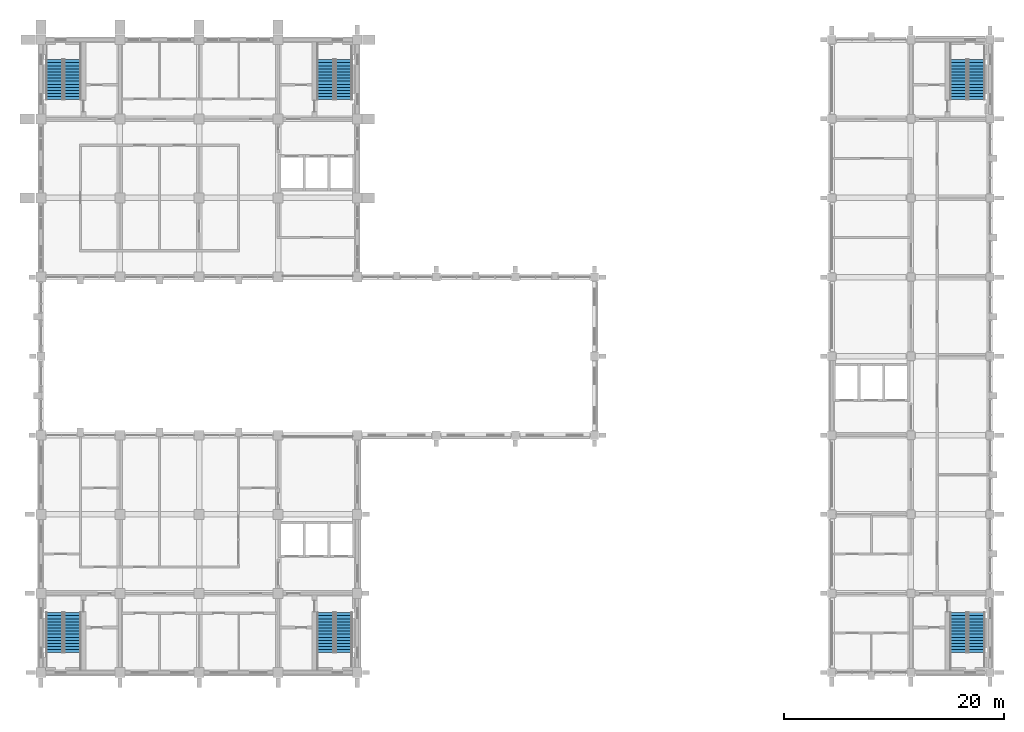
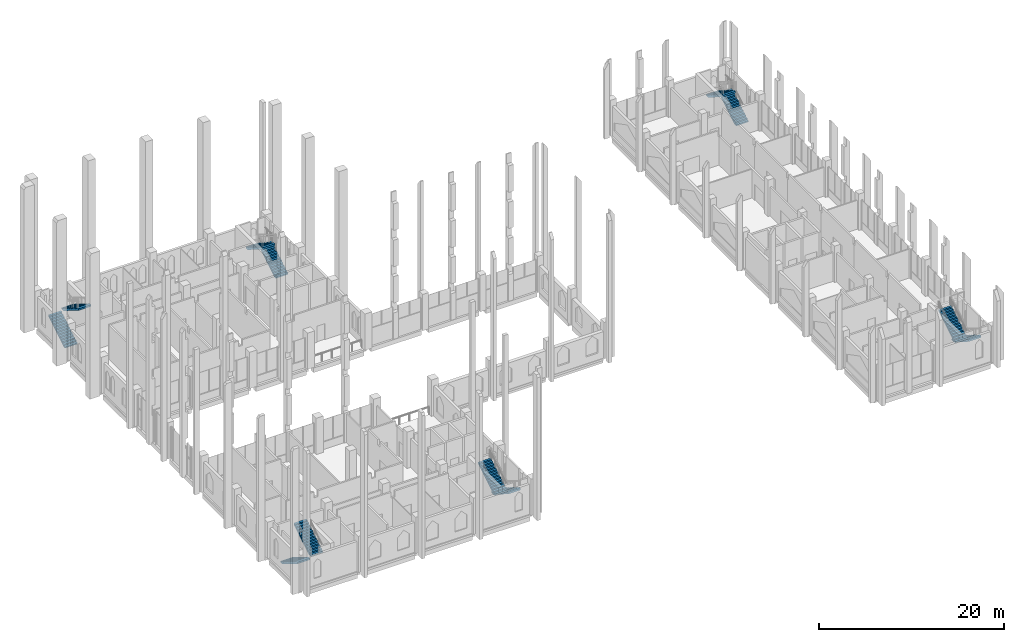
# One storey, part 37 of 40: 12 stair flights, 6 elements without a shape of their own.
"""IFC4 building model written with IfcOpenShell, lengths in metres."""

from ifc_helpers import new_model, si_unit, direction, frame, origin, place, context, subcontext, project, spatial, polyline, outline, extrude, material, type_object, element, aggregate, save


model = new_model("IFC4")

# Units and contexts
model_context = context("Model", 3, precision=1e-05, world=origin(), true_north=direction((0.0, 1.0)))
body_context = subcontext(model_context, "Body", "Model", "MODEL_VIEW")
ifc_project = project(units=[si_unit("LENGTHUNIT", "METRE"), si_unit("AREAUNIT", "SQUARE_METRE"), si_unit("VOLUMEUNIT", "CUBIC_METRE"), si_unit("PLANEANGLEUNIT", "RADIAN"), si_unit("MASSUNIT", "GRAM", prefix="KILO")], contexts=[model_context])

# Site, building, storey
site_placement = place(None, origin())
site = spatial("IfcSite", under=ifc_project, at=site_placement, CompositionType="ELEMENT")
building_placement = place(site_placement, origin())
building = spatial("IfcBuilding", under=site, at=building_placement, Name="Silangan Lancet Faculty of Sciences", CompositionType="ELEMENT")
storey_placement = place(building_placement, frame((0.0, 0.0, 21.60009765625)))
storey = spatial("IfcBuildingStorey", under=building, at=storey_placement, Name="L04", CompositionType="ELEMENT", Elevation=21.60009765625)

# Stair, stair flights
ifc_material_1 = material(Name="Concrete C40/50", Category="concrete")
stair_type = type_object("IfcStairType", Name="TURRET STAIR 1550 TWO-FLIGHT", PredefinedType="HALF_TURN_STAIR", material=ifc_material_1)
stair_1_placement = place(storey_placement, origin())
stair_1 = element("IfcStair", 1, at=stair_1_placement, inside=storey, type_object=stair_type, Name="EB-A stair L04", PredefinedType="HALF_TURN_STAIR")
ifc_material_2 = material(Name="Concrete C40/50", Category="concrete")
stair_flight_type = type_object("IfcStairFlightType", Name="TURRET STAIR FLIGHT 1550", PredefinedType="STRAIGHT", material=ifc_material_2)
stair_flight_1_placement = place(storey_placement, frame((85.175048828125, 5.449951171875, 0.0), z_axis=(0.0, 0.0, 1.0), x_axis=(0.0, -1.0, 0.0)))
stair_flight_1 = element("IfcStairFlight", 2, at=stair_flight_1_placement, type_object=stair_flight_type, Name="STR9 flight 1", NumberOfRisers=14, NumberOfTreads=13, PredefinedType="STRAIGHT", RiserHeight=0.171428571, TreadLength=0.28, context=body_context, shape_type="SweptSolid", body=[
    extrude(outline(polyline([(0.0, 0.0), (0.0, 0.17138671875), (0.280029296875, 0.17138671875), (0.280029296875, 0.3427734375), (0.56005859375, 0.3427734375), (0.56005859375, 0.514404296875), (0.840087890625, 0.514404296875), (0.840087890625, 0.685791015625), (1.1201171875, 0.685791015625), (1.1201171875, 0.857177734375), (1.39990234375, 0.857177734375), (1.39990234375, 1.028564453125), (1.679931640625, 1.028564453125), (1.679931640625, 1.199951171875), (1.9599609375, 1.199951171875), (1.9599609375, 1.371337890625), (2.239990234375, 1.371337890625), (2.239990234375, 1.54296875), (2.52001953125, 1.54296875), (2.52001953125, 1.71435546875), (2.800048828125, 1.71435546875), (2.800048828125, 1.8857421875), (3.080078125, 1.8857421875), (3.080078125, 2.05712890625), (3.360107421875, 2.05712890625), (3.360107421875, 2.228515625), (3.639892578125, 2.228515625), (3.639892578125, 2.39990234375), (3.639892578125, 1.994140625), (0.383056640625, 0.0), (0.0, 0.0)])), frame((0.0, 0.77490234375, 0.0), z_axis=(0.0, -1.0, 0.0), x_axis=(1.0, 0.0, 0.0)), (0.0, 0.0, 1.0), 1.550048828125),
])
stair_flight_2_placement = place(storey_placement, frame((83.52490234375, 1.81005859375, 2.39990234375), z_axis=(0.0, 0.0, 1.0), x_axis=(0.0, 1.0, 0.0)))
stair_flight_2 = element("IfcStairFlight", 3, at=stair_flight_2_placement, type_object=stair_flight_type, Name="STR9 flight 2", NumberOfRisers=14, NumberOfTreads=13, PredefinedType="STRAIGHT", RiserHeight=0.171428571, TreadLength=0.28, context=body_context, shape_type="SweptSolid", body=[
    extrude(outline(polyline([(0.0, 0.0), (0.0, 0.17138671875), (0.280029296875, 0.17138671875), (0.280029296875, 0.3427734375), (0.56005859375, 0.3427734375), (0.56005859375, 0.514404296875), (0.840087890625, 0.514404296875), (0.840087890625, 0.685791015625), (1.1201171875, 0.685791015625), (1.1201171875, 0.857177734375), (1.39990234375, 0.857177734375), (1.39990234375, 1.028564453125), (1.679931640625, 1.028564453125), (1.679931640625, 1.199951171875), (1.9599609375, 1.199951171875), (1.9599609375, 1.371337890625), (2.239990234375, 1.371337890625), (2.239990234375, 1.54296875), (2.52001953125, 1.54296875), (2.52001953125, 1.71435546875), (2.800048828125, 1.71435546875), (2.800048828125, 1.8857421875), (3.080078125, 1.8857421875), (3.080078125, 2.05712890625), (3.360107421875, 2.05712890625), (3.360107421875, 2.228515625), (3.639892578125, 2.228515625), (3.639892578125, 2.39990234375), (3.639892578125, 1.994140625), (0.383056640625, 0.0), (0.0, 0.0)])), frame((0.0, 0.77490234375, 0.0), z_axis=(0.0, -1.0, 0.0), x_axis=(1.0, 0.0, 0.0)), (0.0, 0.0, 1.0), 1.550048828125),
])
aggregate(stair_1, [stair_flight_1, stair_flight_2])

stair_2_placement = place(storey_placement, origin())
stair_2 = element("IfcStair", 4, at=stair_2_placement, inside=storey, type_object=stair_type, Name="EB-B stair L04", PredefinedType="HALF_TURN_STAIR")
stair_flight_3_placement = place(storey_placement, frame((85.175048828125, 52.14990234375, 0.0), z_axis=(0.0, 0.0, 1.0), x_axis=(0.0, 1.0, 0.0)))
stair_flight_3 = element("IfcStairFlight", 5, at=stair_flight_3_placement, type_object=stair_flight_type, Name="STR10 flight 1", NumberOfRisers=14, NumberOfTreads=13, PredefinedType="STRAIGHT", RiserHeight=0.171428571, TreadLength=0.28, context=body_context, shape_type="SweptSolid", body=[
    extrude(outline(polyline([(0.0, 0.0), (0.0, 0.17138671875), (0.280029296875, 0.17138671875), (0.280029296875, 0.3427734375), (0.56005859375, 0.3427734375), (0.56005859375, 0.514404296875), (0.840087890625, 0.514404296875), (0.840087890625, 0.685791015625), (1.1201171875, 0.685791015625), (1.1201171875, 0.857177734375), (1.39990234375, 0.857177734375), (1.39990234375, 1.028564453125), (1.679931640625, 1.028564453125), (1.679931640625, 1.199951171875), (1.9599609375, 1.199951171875), (1.9599609375, 1.371337890625), (2.239990234375, 1.371337890625), (2.239990234375, 1.54296875), (2.52001953125, 1.54296875), (2.52001953125, 1.71435546875), (2.800048828125, 1.71435546875), (2.800048828125, 1.8857421875), (3.080078125, 1.8857421875), (3.080078125, 2.05712890625), (3.360107421875, 2.05712890625), (3.360107421875, 2.228515625), (3.639892578125, 2.228515625), (3.639892578125, 2.39990234375), (3.639892578125, 1.994140625), (0.383056640625, 0.0), (0.0, 0.0)])), frame((0.0, 0.77490234375, 0.0), z_axis=(0.0, -1.0, 0.0), x_axis=(1.0, 0.0, 0.0)), (0.0, 0.0, 1.0), 1.550048828125),
])
stair_flight_4_placement = place(storey_placement, frame((83.52490234375, 55.7900390625, 2.39990234375), z_axis=(0.0, 0.0, 1.0), x_axis=(0.0, -1.0, 0.0)))
stair_flight_4 = element("IfcStairFlight", 6, at=stair_flight_4_placement, type_object=stair_flight_type, Name="STR10 flight 2", NumberOfRisers=14, NumberOfTreads=13, PredefinedType="STRAIGHT", RiserHeight=0.171428571, TreadLength=0.28, context=body_context, shape_type="SweptSolid", body=[
    extrude(outline(polyline([(0.0, 0.0), (0.0, 0.17138671875), (0.280029296875, 0.17138671875), (0.280029296875, 0.3427734375), (0.56005859375, 0.3427734375), (0.56005859375, 0.514404296875), (0.840087890625, 0.514404296875), (0.840087890625, 0.685791015625), (1.1201171875, 0.685791015625), (1.1201171875, 0.857177734375), (1.39990234375, 0.857177734375), (1.39990234375, 1.028564453125), (1.679931640625, 1.028564453125), (1.679931640625, 1.199951171875), (1.9599609375, 1.199951171875), (1.9599609375, 1.371337890625), (2.239990234375, 1.371337890625), (2.239990234375, 1.54296875), (2.52001953125, 1.54296875), (2.52001953125, 1.71435546875), (2.800048828125, 1.71435546875), (2.800048828125, 1.8857421875), (3.080078125, 1.8857421875), (3.080078125, 2.05712890625), (3.360107421875, 2.05712890625), (3.360107421875, 2.228515625), (3.639892578125, 2.228515625), (3.639892578125, 2.39990234375), (3.639892578125, 1.994140625), (0.383056640625, 0.0), (0.0, 0.0)])), frame((0.0, 0.77490234375, 0.0), z_axis=(0.0, -1.0, 0.0), x_axis=(1.0, 0.0, 0.0)), (0.0, 0.0, 1.0), 1.550048828125),
])
aggregate(stair_2, [stair_flight_3, stair_flight_4])

stair_3_placement = place(storey_placement, origin())
stair_3 = element("IfcStair", 7, at=stair_3_placement, inside=storey, type_object=stair_type, Name="NT-A stair L04", PredefinedType="HALF_TURN_STAIR")
stair_flight_5_placement = place(storey_placement, frame((1.22509765625, 52.14990234375, 0.0), z_axis=(0.0, 0.0, 1.0), x_axis=(0.0, 1.0, 0.0)))
stair_flight_5 = element("IfcStairFlight", 8, at=stair_flight_5_placement, type_object=stair_flight_type, Name="STR3 flight 1", NumberOfRisers=14, NumberOfTreads=13, PredefinedType="STRAIGHT", RiserHeight=0.171428571, TreadLength=0.28, context=body_context, shape_type="SweptSolid", body=[
    extrude(outline(polyline([(0.0, 0.0), (0.0, 0.17138671875), (0.280029296875, 0.17138671875), (0.280029296875, 0.3427734375), (0.56005859375, 0.3427734375), (0.56005859375, 0.514404296875), (0.840087890625, 0.514404296875), (0.840087890625, 0.685791015625), (1.1201171875, 0.685791015625), (1.1201171875, 0.857177734375), (1.39990234375, 0.857177734375), (1.39990234375, 1.028564453125), (1.679931640625, 1.028564453125), (1.679931640625, 1.199951171875), (1.9599609375, 1.199951171875), (1.9599609375, 1.371337890625), (2.239990234375, 1.371337890625), (2.239990234375, 1.54296875), (2.52001953125, 1.54296875), (2.52001953125, 1.71435546875), (2.800048828125, 1.71435546875), (2.800048828125, 1.8857421875), (3.080078125, 1.8857421875), (3.080078125, 2.05712890625), (3.360107421875, 2.05712890625), (3.360107421875, 2.228515625), (3.639892578125, 2.228515625), (3.639892578125, 2.39990234375), (3.639892578125, 1.994140625), (0.383056640625, 0.0), (0.0, 0.0)])), frame((0.0, 0.77490234375, 0.0), z_axis=(0.0, -1.0, 0.0), x_axis=(1.0, 0.0, 0.0)), (0.0, 0.0, 1.0), 1.550048828125),
])
stair_flight_6_placement = place(storey_placement, frame((2.875, 55.7900390625, 2.39990234375), z_axis=(0.0, 0.0, 1.0), x_axis=(0.0, -1.0, 0.0)))
stair_flight_6 = element("IfcStairFlight", 9, at=stair_flight_6_placement, type_object=stair_flight_type, Name="STR3 flight 2", NumberOfRisers=14, NumberOfTreads=13, PredefinedType="STRAIGHT", RiserHeight=0.171428571, TreadLength=0.28, context=body_context, shape_type="SweptSolid", body=[
    extrude(outline(polyline([(0.0, 0.0), (0.0, 0.17138671875), (0.280029296875, 0.17138671875), (0.280029296875, 0.3427734375), (0.56005859375, 0.3427734375), (0.56005859375, 0.514404296875), (0.840087890625, 0.514404296875), (0.840087890625, 0.685791015625), (1.1201171875, 0.685791015625), (1.1201171875, 0.857177734375), (1.39990234375, 0.857177734375), (1.39990234375, 1.028564453125), (1.679931640625, 1.028564453125), (1.679931640625, 1.199951171875), (1.9599609375, 1.199951171875), (1.9599609375, 1.371337890625), (2.239990234375, 1.371337890625), (2.239990234375, 1.54296875), (2.52001953125, 1.54296875), (2.52001953125, 1.71435546875), (2.800048828125, 1.71435546875), (2.800048828125, 1.8857421875), (3.080078125, 1.8857421875), (3.080078125, 2.05712890625), (3.360107421875, 2.05712890625), (3.360107421875, 2.228515625), (3.639892578125, 2.228515625), (3.639892578125, 2.39990234375), (3.639892578125, 1.994140625), (0.383056640625, 0.0), (0.0, 0.0)])), frame((0.0, 0.77490234375, 0.0), z_axis=(0.0, -1.0, 0.0), x_axis=(1.0, 0.0, 0.0)), (0.0, 0.0, 1.0), 1.550048828125),
])
aggregate(stair_3, [stair_flight_5, stair_flight_6])

stair_4_placement = place(storey_placement, origin())
stair_4 = element("IfcStair", 10, at=stair_4_placement, inside=storey, type_object=stair_type, Name="NT-B stair L04", PredefinedType="HALF_TURN_STAIR")
stair_flight_7_placement = place(storey_placement, frame((27.574951171875, 52.14990234375, 0.0), z_axis=(0.0, 0.0, 1.0), x_axis=(0.0, 1.0, 0.0)))
stair_flight_7 = element("IfcStairFlight", 11, at=stair_flight_7_placement, type_object=stair_flight_type, Name="STR4 flight 1", NumberOfRisers=14, NumberOfTreads=13, PredefinedType="STRAIGHT", RiserHeight=0.171428571, TreadLength=0.28, context=body_context, shape_type="SweptSolid", body=[
    extrude(outline(polyline([(0.0, 0.0), (0.0, 0.17138671875), (0.280029296875, 0.17138671875), (0.280029296875, 0.3427734375), (0.56005859375, 0.3427734375), (0.56005859375, 0.514404296875), (0.840087890625, 0.514404296875), (0.840087890625, 0.685791015625), (1.1201171875, 0.685791015625), (1.1201171875, 0.857177734375), (1.39990234375, 0.857177734375), (1.39990234375, 1.028564453125), (1.679931640625, 1.028564453125), (1.679931640625, 1.199951171875), (1.9599609375, 1.199951171875), (1.9599609375, 1.371337890625), (2.239990234375, 1.371337890625), (2.239990234375, 1.54296875), (2.52001953125, 1.54296875), (2.52001953125, 1.71435546875), (2.800048828125, 1.71435546875), (2.800048828125, 1.8857421875), (3.080078125, 1.8857421875), (3.080078125, 2.05712890625), (3.360107421875, 2.05712890625), (3.360107421875, 2.228515625), (3.639892578125, 2.228515625), (3.639892578125, 2.39990234375), (3.639892578125, 1.994140625), (0.383056640625, 0.0), (0.0, 0.0)])), frame((0.0, 0.77490234375, 0.0), z_axis=(0.0, -1.0, 0.0), x_axis=(1.0, 0.0, 0.0)), (0.0, 0.0, 1.0), 1.550048828125),
])
stair_flight_8_placement = place(storey_placement, frame((25.925048828125, 55.7900390625, 2.39990234375), z_axis=(0.0, 0.0, 1.0), x_axis=(0.0, -1.0, 0.0)))
stair_flight_8 = element("IfcStairFlight", 12, at=stair_flight_8_placement, type_object=stair_flight_type, Name="STR4 flight 2", NumberOfRisers=14, NumberOfTreads=13, PredefinedType="STRAIGHT", RiserHeight=0.171428571, TreadLength=0.28, context=body_context, shape_type="SweptSolid", body=[
    extrude(outline(polyline([(0.0, 0.0), (0.0, 0.17138671875), (0.280029296875, 0.17138671875), (0.280029296875, 0.3427734375), (0.56005859375, 0.3427734375), (0.56005859375, 0.514404296875), (0.840087890625, 0.514404296875), (0.840087890625, 0.685791015625), (1.1201171875, 0.685791015625), (1.1201171875, 0.857177734375), (1.39990234375, 0.857177734375), (1.39990234375, 1.028564453125), (1.679931640625, 1.028564453125), (1.679931640625, 1.199951171875), (1.9599609375, 1.199951171875), (1.9599609375, 1.371337890625), (2.239990234375, 1.371337890625), (2.239990234375, 1.54296875), (2.52001953125, 1.54296875), (2.52001953125, 1.71435546875), (2.800048828125, 1.71435546875), (2.800048828125, 1.8857421875), (3.080078125, 1.8857421875), (3.080078125, 2.05712890625), (3.360107421875, 2.05712890625), (3.360107421875, 2.228515625), (3.639892578125, 2.228515625), (3.639892578125, 2.39990234375), (3.639892578125, 1.994140625), (0.383056640625, 0.0), (0.0, 0.0)])), frame((0.0, 0.77490234375, 0.0), z_axis=(0.0, -1.0, 0.0), x_axis=(1.0, 0.0, 0.0)), (0.0, 0.0, 1.0), 1.550048828125),
])
aggregate(stair_4, [stair_flight_7, stair_flight_8])

stair_5_placement = place(storey_placement, origin())
stair_5 = element("IfcStair", 13, at=stair_5_placement, inside=storey, type_object=stair_type, Name="ST-A stair L04", PredefinedType="HALF_TURN_STAIR")
stair_flight_9_placement = place(storey_placement, frame((1.22509765625, 5.449951171875, 0.0), z_axis=(0.0, 0.0, 1.0), x_axis=(0.0, -1.0, 0.0)))
stair_flight_9 = element("IfcStairFlight", 14, at=stair_flight_9_placement, type_object=stair_flight_type, Name="STR1 flight 1", NumberOfRisers=14, NumberOfTreads=13, PredefinedType="STRAIGHT", RiserHeight=0.171428571, TreadLength=0.28, context=body_context, shape_type="SweptSolid", body=[
    extrude(outline(polyline([(0.0, 0.0), (0.0, 0.17138671875), (0.280029296875, 0.17138671875), (0.280029296875, 0.3427734375), (0.56005859375, 0.3427734375), (0.56005859375, 0.514404296875), (0.840087890625, 0.514404296875), (0.840087890625, 0.685791015625), (1.1201171875, 0.685791015625), (1.1201171875, 0.857177734375), (1.39990234375, 0.857177734375), (1.39990234375, 1.028564453125), (1.679931640625, 1.028564453125), (1.679931640625, 1.199951171875), (1.9599609375, 1.199951171875), (1.9599609375, 1.371337890625), (2.239990234375, 1.371337890625), (2.239990234375, 1.54296875), (2.52001953125, 1.54296875), (2.52001953125, 1.71435546875), (2.800048828125, 1.71435546875), (2.800048828125, 1.8857421875), (3.080078125, 1.8857421875), (3.080078125, 2.05712890625), (3.360107421875, 2.05712890625), (3.360107421875, 2.228515625), (3.639892578125, 2.228515625), (3.639892578125, 2.39990234375), (3.639892578125, 1.994140625), (0.383056640625, 0.0), (0.0, 0.0)])), frame((0.0, 0.77490234375, 0.0), z_axis=(0.0, -1.0, 0.0), x_axis=(1.0, 0.0, 0.0)), (0.0, 0.0, 1.0), 1.550048828125),
])
stair_flight_10_placement = place(storey_placement, frame((2.875, 1.81005859375, 2.39990234375), z_axis=(0.0, 0.0, 1.0), x_axis=(0.0, 1.0, 0.0)))
stair_flight_10 = element("IfcStairFlight", 15, at=stair_flight_10_placement, type_object=stair_flight_type, Name="STR1 flight 2", NumberOfRisers=14, NumberOfTreads=13, PredefinedType="STRAIGHT", RiserHeight=0.171428571, TreadLength=0.28, context=body_context, shape_type="SweptSolid", body=[
    extrude(outline(polyline([(0.0, 0.0), (0.0, 0.17138671875), (0.280029296875, 0.17138671875), (0.280029296875, 0.3427734375), (0.56005859375, 0.3427734375), (0.56005859375, 0.514404296875), (0.840087890625, 0.514404296875), (0.840087890625, 0.685791015625), (1.1201171875, 0.685791015625), (1.1201171875, 0.857177734375), (1.39990234375, 0.857177734375), (1.39990234375, 1.028564453125), (1.679931640625, 1.028564453125), (1.679931640625, 1.199951171875), (1.9599609375, 1.199951171875), (1.9599609375, 1.371337890625), (2.239990234375, 1.371337890625), (2.239990234375, 1.54296875), (2.52001953125, 1.54296875), (2.52001953125, 1.71435546875), (2.800048828125, 1.71435546875), (2.800048828125, 1.8857421875), (3.080078125, 1.8857421875), (3.080078125, 2.05712890625), (3.360107421875, 2.05712890625), (3.360107421875, 2.228515625), (3.639892578125, 2.228515625), (3.639892578125, 2.39990234375), (3.639892578125, 1.994140625), (0.383056640625, 0.0), (0.0, 0.0)])), frame((0.0, 0.77490234375, 0.0), z_axis=(0.0, -1.0, 0.0), x_axis=(1.0, 0.0, 0.0)), (0.0, 0.0, 1.0), 1.550048828125),
])
aggregate(stair_5, [stair_flight_9, stair_flight_10])

stair_6_placement = place(storey_placement, origin())
stair_6 = element("IfcStair", 16, at=stair_6_placement, inside=storey, type_object=stair_type, Name="ST-B stair L04", PredefinedType="HALF_TURN_STAIR")
stair_flight_11_placement = place(storey_placement, frame((27.574951171875, 5.449951171875, 0.0), z_axis=(0.0, 0.0, 1.0), x_axis=(0.0, -1.0, 0.0)))
stair_flight_11 = element("IfcStairFlight", 17, at=stair_flight_11_placement, type_object=stair_flight_type, Name="STR2 flight 1", NumberOfRisers=14, NumberOfTreads=13, PredefinedType="STRAIGHT", RiserHeight=0.171428571, TreadLength=0.28, context=body_context, shape_type="SweptSolid", body=[
    extrude(outline(polyline([(0.0, 0.0), (0.0, 0.17138671875), (0.280029296875, 0.17138671875), (0.280029296875, 0.3427734375), (0.56005859375, 0.3427734375), (0.56005859375, 0.514404296875), (0.840087890625, 0.514404296875), (0.840087890625, 0.685791015625), (1.1201171875, 0.685791015625), (1.1201171875, 0.857177734375), (1.39990234375, 0.857177734375), (1.39990234375, 1.028564453125), (1.679931640625, 1.028564453125), (1.679931640625, 1.199951171875), (1.9599609375, 1.199951171875), (1.9599609375, 1.371337890625), (2.239990234375, 1.371337890625), (2.239990234375, 1.54296875), (2.52001953125, 1.54296875), (2.52001953125, 1.71435546875), (2.800048828125, 1.71435546875), (2.800048828125, 1.8857421875), (3.080078125, 1.8857421875), (3.080078125, 2.05712890625), (3.360107421875, 2.05712890625), (3.360107421875, 2.228515625), (3.639892578125, 2.228515625), (3.639892578125, 2.39990234375), (3.639892578125, 1.994140625), (0.383056640625, 0.0), (0.0, 0.0)])), frame((0.0, 0.77490234375, 0.0), z_axis=(0.0, -1.0, 0.0), x_axis=(1.0, 0.0, 0.0)), (0.0, 0.0, 1.0), 1.550048828125),
])
stair_flight_12_placement = place(storey_placement, frame((25.925048828125, 1.81005859375, 2.39990234375), z_axis=(0.0, 0.0, 1.0), x_axis=(0.0, 1.0, 0.0)))
stair_flight_12 = element("IfcStairFlight", 18, at=stair_flight_12_placement, type_object=stair_flight_type, Name="STR2 flight 2", NumberOfRisers=14, NumberOfTreads=13, PredefinedType="STRAIGHT", RiserHeight=0.171428571, TreadLength=0.28, context=body_context, shape_type="SweptSolid", body=[
    extrude(outline(polyline([(0.0, 0.0), (0.0, 0.17138671875), (0.280029296875, 0.17138671875), (0.280029296875, 0.3427734375), (0.56005859375, 0.3427734375), (0.56005859375, 0.514404296875), (0.840087890625, 0.514404296875), (0.840087890625, 0.685791015625), (1.1201171875, 0.685791015625), (1.1201171875, 0.857177734375), (1.39990234375, 0.857177734375), (1.39990234375, 1.028564453125), (1.679931640625, 1.028564453125), (1.679931640625, 1.199951171875), (1.9599609375, 1.199951171875), (1.9599609375, 1.371337890625), (2.239990234375, 1.371337890625), (2.239990234375, 1.54296875), (2.52001953125, 1.54296875), (2.52001953125, 1.71435546875), (2.800048828125, 1.71435546875), (2.800048828125, 1.8857421875), (3.080078125, 1.8857421875), (3.080078125, 2.05712890625), (3.360107421875, 2.05712890625), (3.360107421875, 2.228515625), (3.639892578125, 2.228515625), (3.639892578125, 2.39990234375), (3.639892578125, 1.994140625), (0.383056640625, 0.0), (0.0, 0.0)])), frame((0.0, 0.77490234375, 0.0), z_axis=(0.0, -1.0, 0.0), x_axis=(1.0, 0.0, 0.0)), (0.0, 0.0, 1.0), 1.550048828125),
])
aggregate(stair_6, [stair_flight_11, stair_flight_12])

save(model, "model.ifc")
